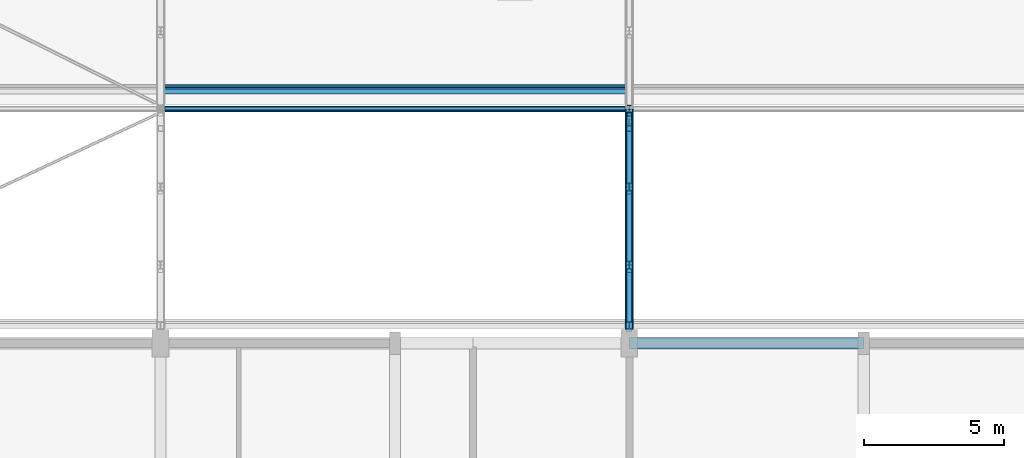
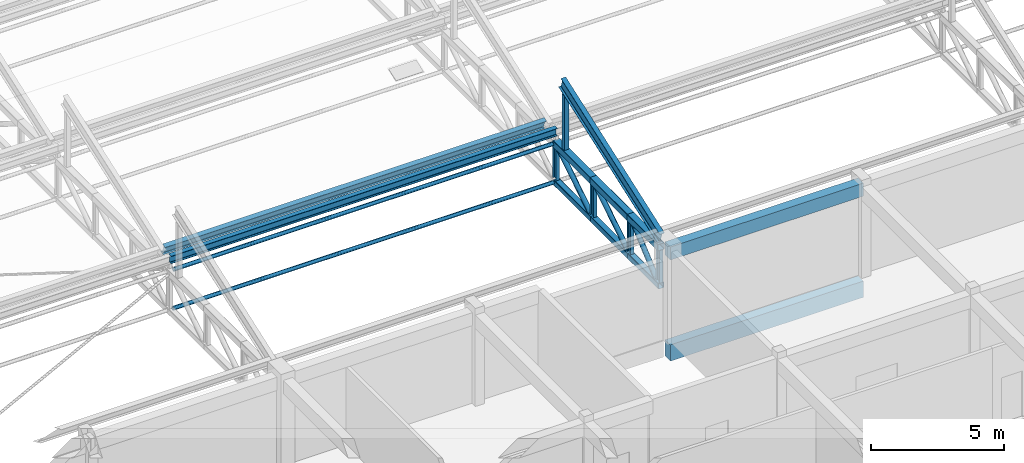
# One storey, part 13 of 101: 18 members, 3 beams.
"""IFC4 building model written with IfcOpenShell, lengths in metres."""

import ifcopenshell
import ifcopenshell.guid

model = None  # the IFC model being written
_history = None  # IfcOwnerHistory: only IFC2X3 demands one
_inside = {}  # id of a spatial element -> (the spatial element, [elements in it])
_under = {}  # id of a project, library or spatial element -> (it, [spatial elements below it])
_declared = {}  # id of a project -> (the project, [libraries it declares])
_typed = {}  # id of a type object -> (the type object, [elements of that type])
_made_of = {}  # id of a material, layer set ... -> (it, [elements and type objects made of it])


def new_model(schema):
    """Start an empty IFC model of exactly this schema.

    Asked for "IFC4X3", IfcOpenShell would pick the latest addendum, in which some entities
    have other attributes; the version numbers below select the first issue.
    IFC2X3 requires an IfcOwnerHistory on every rooted entity: one is made here for all.
    """
    global model, _history
    if schema == "IFC4X3":
        model = ifcopenshell.file(schema_version=(4, 3, 0, 0))
    else:
        model = ifcopenshell.file(schema=schema)
    _inside.clear()
    _under.clear()
    _declared.clear()
    _typed.clear()
    _made_of.clear()
    _history = None
    if model.schema == "IFC2X3":
        org = make("IfcOrganization", Name="unknown")
        user = make(
            "IfcPersonAndOrganization",
            ThePerson=make("IfcPerson", FamilyName="unknown"),
            TheOrganization=org,
        )
        app = make(
            "IfcApplication",
            ApplicationDeveloper=org,
            Version="unknown",
            ApplicationFullName="unknown",
            ApplicationIdentifier="unknown",
        )
        _history = make(
            "IfcOwnerHistory",
            OwningUser=user,
            OwningApplication=app,
            ChangeAction="ADDED",
            CreationDate=0,
        )
    return model


def make(cls, **values):
    """One entity of the class cls with the attributes given. An attribute that is None is left unset."""
    return model.create_entity(
        cls, **{name: value for name, value in values.items() if value is not None}
    )


def rooted(cls, **values):
    """An entity with a GlobalId (a new one), such as an element, a storey or a relation."""
    return make(cls, GlobalId=ifcopenshell.guid.new(), OwnerHistory=_history, **values)


def si_unit(unit_type, name, prefix=None):
    """IfcSIUnit, for example si_unit("LENGTHUNIT", "METRE", prefix="MILLI")."""
    return make("IfcSIUnit", UnitType=unit_type, Prefix=prefix, Name=name)


def assignment(units):
    """IfcUnitAssignment: the units of a project."""
    return None if units is None else make("IfcUnitAssignment", Units=units)


def point(xyz):
    """IfcCartesianPoint."""
    return None if xyz is None else make("IfcCartesianPoint", Coordinates=xyz)


def direction(xyz):
    """IfcDirection."""
    return None if xyz is None else make("IfcDirection", DirectionRatios=xyz)


def frame(location, z_axis=None, x_axis=None):
    """IfcAxis2Placement3D, a coordinate frame: its origin and axes. An axis left out is left unset."""
    return make(
        "IfcAxis2Placement3D",
        Location=point(location),
        Axis=direction(z_axis),
        RefDirection=direction(x_axis),
    )


def frame_2d(location, x_axis=None):
    """IfcAxis2Placement2D, a coordinate frame in the plane: its origin and x axis."""
    return make(
        "IfcAxis2Placement2D", Location=point(location), RefDirection=direction(x_axis)
    )


def origin():
    """The frame at (0, 0, 0) with its axes left unset."""
    return frame((0.0, 0.0, 0.0))


def origin_2d():
    """The frame at (0, 0) in the plane with its x axis left unset."""
    return frame_2d((0.0, 0.0))


def place(relative_to, where):
    """IfcLocalPlacement: puts the frame where relative to a parent placement (None: the world)."""
    return make(
        "IfcLocalPlacement", PlacementRelTo=relative_to, RelativePlacement=where
    )


def context(
    kind, dimensions, precision=None, world=None, true_north=None, identifier=None
):
    """IfcGeometricRepresentationContext, for example the 3D "Model" context."""
    return make(
        "IfcGeometricRepresentationContext",
        ContextIdentifier=identifier,
        ContextType=kind,
        CoordinateSpaceDimension=dimensions,
        Precision=precision,
        WorldCoordinateSystem=world,
        TrueNorth=true_north,
    )


def subcontext(parent, identifier, kind, view, scale=None):
    """IfcGeometricRepresentationSubContext, for example "Body" below "Model"."""
    return make(
        "IfcGeometricRepresentationSubContext",
        ContextIdentifier=identifier,
        ContextType=kind,
        ParentContext=parent,
        TargetScale=scale,
        TargetView=view,
    )


def project(units=None, contexts=None):
    """IfcProject with its units and contexts."""
    return rooted(
        "IfcProject",
        Name="project",
        RepresentationContexts=contexts,
        UnitsInContext=assignment(units),
    )


def spatial(cls, under=None, at=None, **own):
    """A site, building, storey or space (cls), placed at a placement, below another one or the project."""
    s = rooted(cls, ObjectPlacement=at, **own)
    if under is not None:
        _under.setdefault(under.id(), (under, []))[1].append(s)
    return s


def profile(cls, at=None, kind="AREA", **sizes):
    """A parametric profile (cls). Its sizes go by their IFC names, for example OverallWidth=200.0."""
    return make(cls, ProfileType=kind, Position=at, **sizes)


def rectangle(**sizes):
    """IfcRectangleProfileDef."""
    return profile("IfcRectangleProfileDef", **sizes)


def hollow_rectangle(**sizes):
    """IfcRectangleHollowProfileDef."""
    return profile("IfcRectangleHollowProfileDef", **sizes)


def hollow_circle(**sizes):
    """IfcCircleHollowProfileDef."""
    return profile("IfcCircleHollowProfileDef", **sizes)


def i_section(**sizes):
    """IfcIShapeProfileDef."""
    return profile("IfcIShapeProfileDef", **sizes)


def extrude(swept, where, along, depth):
    """IfcExtrudedAreaSolid: the profile swept, set in the frame where, extruded along a direction by depth."""
    return make(
        "IfcExtrudedAreaSolid",
        SweptArea=swept,
        Position=where,
        ExtrudedDirection=direction(along),
        Depth=depth,
    )


def shape(context_of_items, identifier, shape_type, items):
    """IfcShapeRepresentation: the items that make up one representation, for example the "Body"."""
    return make(
        "IfcShapeRepresentation",
        ContextOfItems=context_of_items,
        RepresentationIdentifier=identifier,
        RepresentationType=shape_type,
        Items=items,
    )


def material(Name=None, Category=None):
    """IfcMaterial."""
    return make("IfcMaterial", Name=Name, Category=Category)


def material_profile(
    of_material, cross_section, Name=None, Category=None, Priority=None
):
    """IfcMaterialProfile: a cross section and its material."""
    return make(
        "IfcMaterialProfile",
        Name=Name,
        Material=of_material,
        Profile=cross_section,
        Priority=Priority,
        Category=Category,
    )


def profile_set(profiles, Name=None, composite=None):
    """IfcMaterialProfileSet."""
    return make(
        "IfcMaterialProfileSet",
        Name=Name,
        MaterialProfiles=profiles,
        CompositeProfile=composite,
    )


def made_of(thing, what):
    """Note that an element or type object is made of a material, layer set ...; save() writes the relation."""
    if what is not None:
        _made_of.setdefault(what.id(), (what, []))[1].append(thing)
    return thing


def type_object(cls, material=None, **own):
    """A type object (cls), such as IfcWallType, which elements share."""
    return made_of(rooted(cls, **own), material)


def element(
    cls,
    number,
    at=None,
    inside=None,
    cuts=None,
    type_object=None,
    material=None,
    context=None,
    identifier="Body",
    shape_type=None,
    held_by="IfcProductDefinitionShape",
    body=None,
    shapes=None,
    **own,
):
    """One element of the class cls, such as IfcWall. Its Tag is "e" and its number.

    at: its placement. inside: the storey or other place that contains it. cuts: it is an
    opening in that element (IfcRelVoidsElement). A single representation is given by context,
    identifier, shape_type and body (its items); several are given by shapes. held_by: the class
    of the entity that holds the representations. save() writes the other relations.
    """
    e = rooted(cls, Tag="e%d" % number, ObjectPlacement=at, **own)
    if body is not None:
        shapes = [shape(context, identifier, shape_type, body)]
    if shapes is not None:
        e.Representation = make(held_by, Representations=shapes)
    if inside is not None:
        _inside.setdefault(inside.id(), (inside, []))[1].append(e)
    if cuts is not None:
        rooted(
            "IfcRelVoidsElement", RelatingBuildingElement=cuts, RelatedOpeningElement=e
        )
    if type_object is not None:
        _typed.setdefault(type_object.id(), (type_object, []))[1].append(e)
    return made_of(e, material)


def aggregate(whole, parts):
    """IfcRelAggregates: a whole, such as a stair, and the parts it consists of."""
    return rooted("IfcRelAggregates", RelatingObject=whole, RelatedObjects=parts)


def save(model, path):
    """Write the relations noted so far, then the file.

    IfcRelAggregates (storeys below a building ...), IfcRelContainedInSpatialStructure (elements
    in a storey), IfcRelDefinesByType, IfcRelAssociatesMaterial and IfcRelDeclares: one each for
    every whole, place, type object, material and project.
    """
    for whole, parts in _under.values():
        aggregate(whole, parts)
    for where, things in _inside.values():
        rooted(
            "IfcRelContainedInSpatialStructure",
            RelatedElements=things,
            RelatingStructure=where,
        )
    for kind, things in _typed.values():
        rooted("IfcRelDefinesByType", RelatedObjects=things, RelatingType=kind)
    for what, things in _made_of.values():
        rooted("IfcRelAssociatesMaterial", RelatedObjects=things, RelatingMaterial=what)
    for by, libraries in _declared.values():
        rooted("IfcRelDeclares", RelatingContext=by, RelatedDefinitions=libraries)
    model.write(path)


model = new_model("IFC4")

# Units and contexts
model_context = context("Model", 3, precision=1e-05, world=origin(), true_north=direction((0.0, 1.0)))
body_context = subcontext(model_context, "Body", "Model", "MODEL_VIEW")
ifc_project = project(units=[si_unit("LENGTHUNIT", "METRE"), si_unit("AREAUNIT", "SQUARE_METRE"), si_unit("VOLUMEUNIT", "CUBIC_METRE"), si_unit("PLANEANGLEUNIT", "RADIAN"), si_unit("MASSUNIT", "GRAM", prefix="KILO")], contexts=[model_context])

# Site, building, storey
site_placement = place(None, origin())
site = spatial("IfcSite", under=ifc_project, at=site_placement, CompositionType="ELEMENT")
building_placement = place(site_placement, origin())
building = spatial("IfcBuilding", under=site, at=building_placement, Name="Fescue Hill Polytechnic", CompositionType="ELEMENT")
storey_placement = place(building_placement, frame((0.0, 0.0, 9.0)))
storey = spatial("IfcBuildingStorey", under=building, at=storey_placement, Name="L02", CompositionType="ELEMENT", Elevation=9.0)

# Beams
ifc_material_1 = material(Name="Concrete 35 MPa", Category="concrete")
ifc_material_profile_1 = material_profile(ifc_material_1, rectangle(XDim=0.39990234375, YDim=0.60009765625, at=origin_2d()), Name="RC 400x600")
ifc_profile_set_1 = profile_set([ifc_material_profile_1], Name="Concrete 35 MPa")
beam_type_1 = type_object("IfcBeamType", Name="Beam RC 400x600", PredefinedType="BEAM", material=ifc_profile_set_1)
beam_1_placement = place(storey_placement, frame((33.60009765625, 16.800048828125, 3.89990234375), z_axis=(1.0, 0.0, 0.0), x_axis=(0.0, 1.0, 0.0)))
element("IfcBeam", 1, at=beam_1_placement, inside=storey, type_object=beam_type_1, Name="BR-L02-0020", PredefinedType="BEAM", context=body_context, shape_type="SweptSolid", body=[
    extrude(rectangle(XDim=0.39990234375, YDim=0.60009765625, at=origin_2d()), origin(), (0.0, 0.0, 1.0), 8.389892578125),
])
ifc_material_profile_2 = material_profile(ifc_material_1, rectangle(XDim=0.39990234375, YDim=0.75, at=origin_2d()), Name="RC 400x750")
ifc_profile_set_2 = profile_set([ifc_material_profile_2], Name="Concrete 35 MPa")
beam_type_2 = type_object("IfcBeamType", Name="Beam RC 400x750", PredefinedType="BEAM", material=ifc_profile_set_2)
beam_2_placement = place(storey_placement, frame((33.60009765625, 16.800048828125, -0.675048828125), z_axis=(1.0, 0.0, 0.0), x_axis=(0.0, 1.0, 0.0)))
element("IfcBeam", 2, at=beam_2_placement, inside=storey, type_object=beam_type_2, Name="BM-L02-0062", PredefinedType="BEAM", context=body_context, shape_type="SweptSolid", body=[
    extrude(rectangle(XDim=0.39990234375, YDim=0.75, at=origin_2d()), origin(), (0.0, 0.0, 1.0), 8.389892578125),
])

# Members
ifc_material_2 = material(Name="Steel 350W (350 MPa)", Category="steel")
ifc_material_profile_3 = material_profile(ifc_material_2, hollow_rectangle(XDim=0.25390625, YDim=0.25390625, WallThickness=0.0126953125, InnerFilletRadius=0.0126953125, OuterFilletRadius=0.025390625, at=origin_2d()), Name="Hall truss bottom chord HSS 254x254x13")
ifc_profile_set_3 = profile_set([ifc_material_profile_3], Name="Steel 350W (350 MPa)")
member_type_1 = type_object("IfcMemberType", Name="Hall truss bottom chord HSS 254x254x13", PredefinedType="CHORD", material=ifc_profile_set_3)
member_1_placement = place(storey_placement, frame((33.60009765625, 17.300048828125, 2.0), z_axis=(0.0, 1.0, 0.0), x_axis=(-1.0, 0.0, 0.0)))
element("IfcMember", 3, at=member_1_placement, inside=storey, type_object=member_type_1, Name="Truss TR3 bottom chord 1", PredefinedType="CHORD", context=body_context, shape_type="SweptSolid", body=[
    extrude(hollow_rectangle(XDim=0.25390625, YDim=0.25390625, WallThickness=0.0126953125, InnerFilletRadius=0.0126953125, OuterFilletRadius=0.025390625, at=origin_2d()), origin(), (0.0, 0.0, 1.0), 2.300048828125),
])
member_2_placement = place(storey_placement, frame((33.60009765625, 19.60009765625, 2.0), z_axis=(0.0, 1.0, 0.0), x_axis=(-1.0, 0.0, 0.0)))
element("IfcMember", 4, at=member_2_placement, inside=storey, type_object=member_type_1, Name="Truss TR3 bottom chord 2", PredefinedType="CHORD", context=body_context, shape_type="SweptSolid", body=[
    extrude(hollow_rectangle(XDim=0.25390625, YDim=0.25390625, WallThickness=0.0126953125, InnerFilletRadius=0.0126953125, OuterFilletRadius=0.025390625, at=origin_2d()), origin(), (0.0, 0.0, 1.0), 2.7998046875),
])
member_3_placement = place(storey_placement, frame((33.60009765625, 22.39990234375, 2.0), z_axis=(0.0, 1.0, 0.0), x_axis=(-1.0, 0.0, 0.0)))
element("IfcMember", 5, at=member_3_placement, inside=storey, type_object=member_type_1, Name="Truss TR3 bottom chord 3", PredefinedType="CHORD", context=body_context, shape_type="SweptSolid", body=[
    extrude(hollow_rectangle(XDim=0.25390625, YDim=0.25390625, WallThickness=0.0126953125, InnerFilletRadius=0.0126953125, OuterFilletRadius=0.025390625, at=origin_2d()), origin(), (0.0, 0.0, 1.0), 2.800048828125),
])
ifc_material_profile_4 = material_profile(ifc_material_2, hollow_circle(Radius=0.109619140625, WallThickness=0.009521484375, at=origin_2d()), Name="Hall truss diagonal CHS 219x9.5")
ifc_profile_set_4 = profile_set([ifc_material_profile_4], Name="Steel 350W (350 MPa)")
member_type_2 = type_object("IfcMemberType", Name="Hall truss diagonal CHS 219x9.5", PredefinedType="BRACE", material=ifc_profile_set_4)
member_4_placement = place(storey_placement, frame((33.60009765625, 17.633056640625, 2.126953125), z_axis=(0.0, 0.761443253909, 0.648231572107), x_axis=(-1.0, 0.0, 0.0)))
element("IfcMember", 6, at=member_4_placement, inside=storey, type_object=member_type_2, Name="Truss TR3 diagonal 1", PredefinedType="BRACE", context=body_context, shape_type="SweptSolid", body=[
    extrude(hollow_circle(Radius=0.109619140625, WallThickness=0.009521484375, at=origin_2d()), origin(), (0.0, 0.0, 1.0), 2.3203125),
])
for number, where, z_axis, x_axis, name in (
    (7, (33.60009765625, 19.800048828125, 2.126953125), (0.0, 0.847329350891, 0.531067765091), (-1.0, 0.0, 0.0), "Truss TR3 diagonal 2"),
    (8, (33.60009765625, 22.60009765625, 2.126953125), (0.0, 0.847329350891, 0.531067765091), (-1.0, 0.0, 0.0), "Truss TR3 diagonal 3"),
):
    element("IfcMember", number, at=place(storey_placement, frame(where, z_axis=z_axis, x_axis=x_axis)), inside=storey, type_object=member_type_2, Name=name, PredefinedType="BRACE", context=body_context, shape_type="SweptSolid", body=[
        extrude(hollow_circle(Radius=0.109619140625, WallThickness=0.009521484375, at=origin_2d()), origin(), (0.0, 0.0, 1.0), 2.832275390625),
    ])
ifc_material_profile_5 = material_profile(ifc_material_2, i_section(OverallWidth=0.14794921875, OverallDepth=0.26611328125, WebThickness=0.007568359375, FlangeThickness=0.012939453125, FilletRadius=0.013916015625, at=origin_2d()), Name="W250x45")
ifc_profile_set_5 = profile_set([ifc_material_profile_5], Name="Steel 350W (350 MPa)")
member_type_3 = type_object("IfcMemberType", Name="Hall truss post W250x45", PredefinedType="POST", material=ifc_profile_set_5)
for number, where, z_axis, x_axis, name in (
    (9, (33.60009765625, 17.43310546875, 2.126953125), (0.0, 0.0, 1.0), (1.0, 0.0, 0.0), "Truss TR3 post 1"),
    (10, (33.60009765625, 19.60009765625, 2.126953125), (0.0, 0.0, 1.0), (1.0, 0.0, 0.0), "Truss TR3 post 2"),
    (11, (33.60009765625, 22.39990234375, 2.126953125), (0.0, 0.0, 1.0), (1.0, 0.0, 0.0), "Truss TR3 post 3"),
    (12, (33.60009765625, 25.199951171875, 2.126953125), (0.0, 0.0, 1.0), (1.0, 0.0, 0.0), "Truss TR3 post 4"),
):
    element("IfcMember", number, at=place(storey_placement, frame(where, z_axis=z_axis, x_axis=x_axis)), inside=storey, type_object=member_type_3, Name=name, PredefinedType="POST", context=body_context, shape_type="SweptSolid", body=[
        extrude(i_section(OverallWidth=0.14794921875, OverallDepth=0.26611328125, WebThickness=0.007568359375, FlangeThickness=0.012939453125, FilletRadius=0.013916015625, at=origin_2d()), origin(), (0.0, 0.0, 1.0), 1.504150390625),
    ])
ifc_material_profile_6 = material_profile(ifc_material_2, hollow_circle(Radius=0.084228515625, WallThickness=0.009521484375, at=origin_2d()), Name="Hall truss tie strut CHS 168x9.5")
ifc_profile_set_6 = profile_set([ifc_material_profile_6], Name="Steel 350W (350 MPa)")
member_type_4 = type_object("IfcMemberType", Name="Hall truss tie strut CHS 168x9.5", PredefinedType="STRUT", material=ifc_profile_set_6)
member_5_placement = place(storey_placement, frame((16.952392578125, 25.199951171875, 3.783447265625), z_axis=(1.0, 0.0, 0.0), x_axis=(0.0, 1.0, 0.0)))
element("IfcMember", 13, at=member_5_placement, inside=storey, type_object=member_type_4, Name="Top chord tie strut bay 2 line 1", PredefinedType="STRUT", context=body_context, shape_type="SweptSolid", body=[
    extrude(hollow_circle(Radius=0.084228515625, WallThickness=0.009521484375, at=origin_2d()), origin(), (0.0, 0.0, 1.0), 16.4951171875),
])
member_6_placement = place(storey_placement, frame((16.927001953125, 25.199951171875, 2.0), z_axis=(1.0, 0.0, 0.0), x_axis=(0.0, 1.0, 0.0)))
element("IfcMember", 14, at=member_6_placement, inside=storey, type_object=member_type_4, Name="Bottom chord tie strut bay 2 line 1", PredefinedType="STRUT", context=body_context, shape_type="SweptSolid", body=[
    extrude(hollow_circle(Radius=0.084228515625, WallThickness=0.009521484375, at=origin_2d()), origin(), (0.0, 0.0, 1.0), 16.5458984375),
])
ifc_material_profile_7 = material_profile(ifc_material_2, hollow_rectangle(XDim=0.3046875, YDim=0.3046875, WallThickness=0.0126953125, InnerFilletRadius=0.0126953125, OuterFilletRadius=0.025390625, at=origin_2d()), Name="Hall truss top chord HSS 305x305x13")
ifc_profile_set_7 = profile_set([ifc_material_profile_7], Name="Steel 350W (350 MPa)")
member_type_5 = type_object("IfcMemberType", Name="Hall truss top chord HSS 305x305x13", PredefinedType="CHORD", material=ifc_profile_set_7)
member_7_placement = place(storey_placement, frame((33.60009765625, 17.300048828125, 3.783447265625), z_axis=(0.0, 1.0, 0.0), x_axis=(-1.0, 0.0, 0.0)))
element("IfcMember", 15, at=member_7_placement, inside=storey, type_object=member_type_5, Name="Truss TR3 top chord 1", PredefinedType="CHORD", context=body_context, shape_type="SweptSolid", body=[
    extrude(hollow_rectangle(XDim=0.3046875, YDim=0.3046875, WallThickness=0.0126953125, InnerFilletRadius=0.0126953125, OuterFilletRadius=0.025390625, at=origin_2d()), origin(), (0.0, 0.0, 1.0), 2.300048828125),
])
member_8_placement = place(storey_placement, frame((33.60009765625, 19.60009765625, 3.783447265625), z_axis=(0.0, 1.0, 0.0), x_axis=(-1.0, 0.0, 0.0)))
element("IfcMember", 16, at=member_8_placement, inside=storey, type_object=member_type_5, Name="Truss TR3 top chord 2", PredefinedType="CHORD", context=body_context, shape_type="SweptSolid", body=[
    extrude(hollow_rectangle(XDim=0.3046875, YDim=0.3046875, WallThickness=0.0126953125, InnerFilletRadius=0.0126953125, OuterFilletRadius=0.025390625, at=origin_2d()), origin(), (0.0, 0.0, 1.0), 2.7998046875),
])
member_9_placement = place(storey_placement, frame((33.60009765625, 22.39990234375, 3.783447265625), z_axis=(0.0, 1.0, 0.0), x_axis=(-1.0, 0.0, 0.0)))
element("IfcMember", 17, at=member_9_placement, inside=storey, type_object=member_type_5, Name="Truss TR3 top chord 3", PredefinedType="CHORD", context=body_context, shape_type="SweptSolid", body=[
    extrude(hollow_rectangle(XDim=0.3046875, YDim=0.3046875, WallThickness=0.0126953125, InnerFilletRadius=0.0126953125, OuterFilletRadius=0.025390625, at=origin_2d()), origin(), (0.0, 0.0, 1.0), 2.800048828125),
])
ifc_material_profile_8 = material_profile(ifc_material_2, i_section(OverallWidth=0.18994140625, OverallDepth=0.45703125, WebThickness=0.009033203125, FlangeThickness=0.014404296875, FilletRadius=0.0166015625, at=origin_2d()), Name="W460x74")
ifc_profile_set_8 = profile_set([ifc_material_profile_8], Name="Steel 350W (350 MPa)")
member_type_6 = type_object("IfcMemberType", Name="Tooth purlin W460x74", PredefinedType="PURLIN", material=ifc_profile_set_8)
member_10_placement = place(storey_placement, frame((16.904541015625, 25.89990234375, 4.294921875), z_axis=(1.0, 0.0, 0.0), x_axis=(0.0, 0.941741911595, 0.336336396997)))
element("IfcMember", 18, at=member_10_placement, inside=storey, type_object=member_type_6, Name="Tooth 2 purlin 1 bay 2", PredefinedType="PURLIN", context=body_context, shape_type="SweptSolid", body=[
    extrude(i_section(OverallWidth=0.18994140625, OverallDepth=0.45703125, WebThickness=0.009033203125, FlangeThickness=0.014404296875, FilletRadius=0.0166015625, at=origin_2d()), origin(), (0.0, 0.0, 1.0), 16.591064453125),
])
ifc_material_profile_9 = material_profile(ifc_material_2, i_section(OverallWidth=0.208984375, OverallDepth=0.532958984375, WebThickness=0.01025390625, FlangeThickness=0.015625, FilletRadius=0.016357421875, at=origin_2d()), Name="W530x92")
ifc_profile_set_9 = profile_set([ifc_material_profile_9], Name="Steel 350W (350 MPa)")
member_type_7 = type_object("IfcMemberType", Name="Tooth rafter W530x92", PredefinedType="RAFTER", material=ifc_profile_set_9)
member_11_placement = place(storey_placement, frame((33.60009765625, 17.310302734375, 4.18701171875), z_axis=(0.0, 0.941744009147, 0.336330523793), x_axis=(-1.0, 0.0, 0.0)))
element("IfcMember", 19, at=member_11_placement, inside=storey, type_object=member_type_7, Name="Tooth 1 rafter on TR3", PredefinedType="RAFTER", context=body_context, shape_type="SweptSolid", body=[
    extrude(i_section(OverallWidth=0.208984375, OverallDepth=0.532958984375, WebThickness=0.01025390625, FlangeThickness=0.015625, FilletRadius=0.016357421875, at=origin_2d()), origin(), (0.0, 0.0, 1.0), 7.89990234375),
])
ifc_material_profile_10 = material_profile(ifc_material_2, hollow_rectangle(XDim=0.203125, YDim=0.203125, WallThickness=0.009521484375, InnerFilletRadius=0.009521484375, OuterFilletRadius=0.01904296875, at=origin_2d()), Name="Tooth ridge post HSS 203x203x9.5")
ifc_profile_set_10 = profile_set([ifc_material_profile_10], Name="Steel 350W (350 MPa)")
member_type_8 = type_object("IfcMemberType", Name="Tooth ridge post HSS 203x203x9.5", PredefinedType="POST", material=ifc_profile_set_10)
member_12_placement = place(storey_placement, frame((33.60009765625, 24.5, 3.93603515625), z_axis=(0.0, 0.0, 1.0), x_axis=(1.0, 0.0, 0.0)))
element("IfcMember", 20, at=member_12_placement, inside=storey, type_object=member_type_8, Name="Tooth 1 ridge post on TR3", PredefinedType="POST", context=body_context, shape_type="SweptSolid", body=[
    extrude(hollow_rectangle(XDim=0.203125, YDim=0.203125, WallThickness=0.009521484375, InnerFilletRadius=0.009521484375, OuterFilletRadius=0.01904296875, at=origin_2d()), origin(), (0.0, 0.0, 1.0), 2.499267578125),
])

# Beam
ifc_material_profile_11 = material_profile(ifc_material_2, i_section(OverallWidth=0.2041015625, OverallDepth=0.35009765625, WebThickness=0.008544921875, FlangeThickness=0.01513671875, FilletRadius=0.02197265625, at=origin_2d()), Name="W360x72")
ifc_profile_set_11 = profile_set([ifc_material_profile_11], Name="Steel 350W (350 MPa)")
beam_type_3 = type_object("IfcBeamType", Name="Valley gutter beam W360x72", PredefinedType="BEAM", material=ifc_profile_set_11)
beam_3_placement = place(storey_placement, frame((16.800048828125, 25.199951171875, 4.324951171875), z_axis=(1.0, 0.0, 0.0), x_axis=(0.0, 1.0, 0.0)))
element("IfcBeam", 21, at=beam_3_placement, inside=storey, type_object=beam_type_3, Name="Valley 2 gutter beam bay 2", PredefinedType="BEAM", context=body_context, shape_type="SweptSolid", body=[
    extrude(i_section(OverallWidth=0.2041015625, OverallDepth=0.35009765625, WebThickness=0.008544921875, FlangeThickness=0.01513671875, FilletRadius=0.02197265625, at=origin_2d()), origin(), (0.0, 0.0, 1.0), 16.800048828125),
])

save(model, "model.ifc")
